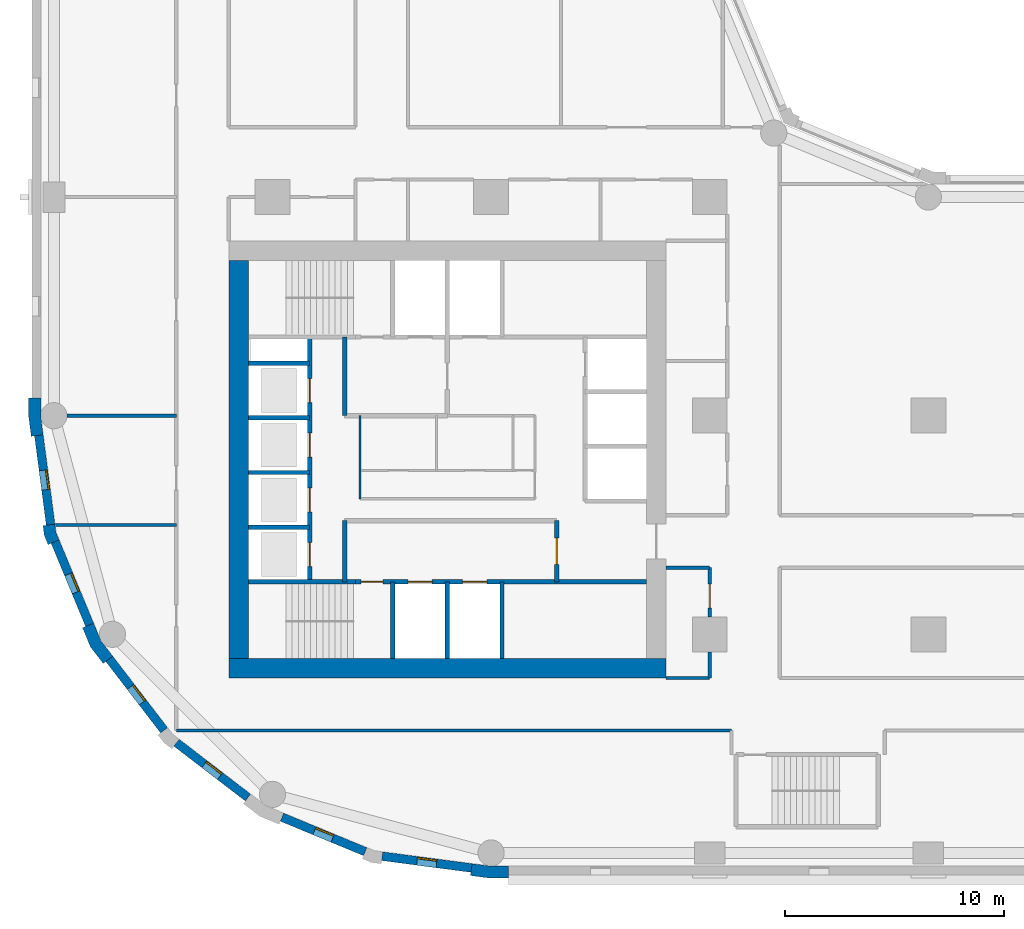
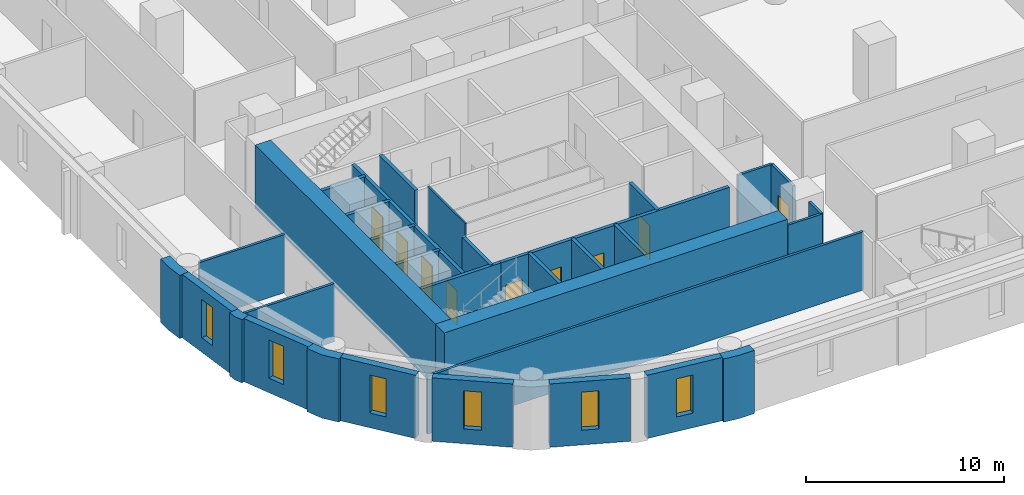
# One storey, part 2 of 10: 33 walls, 9 doors, 6 windows, 15 openings.
"""IFC4 building model written with IfcOpenShell, lengths in metres."""

from ifc_helpers import new_model, si_unit, direction, frame, frame_2d, origin, place, context, subcontext, project, spatial, polyline, rectangle, outline, extrude, material, layer, layer_set, type_object, element, fill, save


model = new_model("IFC4")

# Units and contexts
model_context = context("Model", 3, precision=1e-05, world=origin(), true_north=direction((0.0, 1.0)))
body_context = subcontext(model_context, "Body", "Model", "MODEL_VIEW")
ifc_project = project(units=[si_unit("LENGTHUNIT", "METRE"), si_unit("AREAUNIT", "SQUARE_METRE"), si_unit("VOLUMEUNIT", "CUBIC_METRE"), si_unit("PLANEANGLEUNIT", "RADIAN"), si_unit("MASSUNIT", "GRAM", prefix="KILO")], contexts=[model_context])

# Site, building, storey
site_placement = place(None, origin())
site = spatial("IfcSite", under=ifc_project, at=site_placement, CompositionType="ELEMENT")
building_placement = place(site_placement, origin())
building = spatial("IfcBuilding", under=site, at=building_placement, Name="Qaws Garden Tower", CompositionType="ELEMENT")
storey_placement = place(building_placement, frame((0.0, 0.0, 66.60009765625)))
storey = spatial("IfcBuildingStorey", under=building, at=storey_placement, Name="L16", CompositionType="ELEMENT", Elevation=66.60009765625)

# Wall, opening, window
ifc_material_1 = material(Name="Clay facing brick masonry", Category="masonry")
ifc_layer_1 = layer(ifc_material_1, 0.39990234375)
ifc_layer_set_1 = layer_set([ifc_layer_1], Name="Clay facing brick masonry")
wall_type_1 = type_object("IfcWallType", Name="Brick infill wall 400", PredefinedType="SOLIDWALL", material=ifc_layer_set_1)
wall_1_placement = place(storey_placement, frame((-0.688720703125, 19.102294921875, 0.0), z_axis=(0.0, 0.0, 1.0), x_axis=(0.130514280502, -0.991446429508, 0.0)))
wall_1 = element("IfcWall", 1, at=wall_1_placement, inside=storey, type_object=wall_type_1, Name="E-L16-infill-27", PredefinedType="SOLIDWALL", context=body_context, shape_type="SweptSolid", body=[
    extrude(rectangle(XDim=4.120849609375, YDim=0.39990234375, at=frame_2d((2.060546875, 0.0))), origin(), (0.0, 0.0, 1.0), 3.89990234375),
])
opening_1_placement = place(wall_1_placement, frame((1.610595703125, 0.0, 0.89990234375)))
opening_1 = element("IfcOpeningElement", 2, at=opening_1_placement, cuts=wall_1, Name="Opening W09", PredefinedType="OPENING", context=body_context, shape_type="SweptSolid", body=[
    extrude(rectangle(XDim=0.89990234375, YDim=2.35009765625, at=frame_2d((0.449951171875, 1.175048828125))), frame((0.0, 0.2099609375, 0.0), z_axis=(0.0, -1.0, 0.0), x_axis=(1.0, 0.0, 0.0)), (0.0, 0.0, 1.0), 0.419921875),
])
ifc_material_2 = material(Name="Aluminium framed window, clear glazing", Category="aluminium")
window_type = type_object("IfcWindowType", Name="Slit window 900 x 2350", PartitioningType="SINGLE_PANEL", PredefinedType="WINDOW", material=ifc_material_2)
window_1_placement = place(opening_1_placement, origin())
window_1 = element("IfcWindow", 3, at=window_1_placement, inside=storey, type_object=window_type, Name="E-L16-window-27-0", OverallHeight=2.35009765625, OverallWidth=0.89990234375, PartitioningType="SINGLE_PANEL", PredefinedType="WINDOW", context=body_context, shape_type="SweptSolid", body=[
    extrude(rectangle(XDim=0.89990234375, YDim=2.35009765625, at=frame_2d((0.449951171875, 1.175048828125))), frame((0.0, 0.159912109375, 0.0), z_axis=(0.0, -1.0, 0.0), x_axis=(1.0, 0.0, 0.0)), (0.0, 0.0, 1.0), 0.06005859375),
])
fill(opening_1, window_1)

wall_2_placement = place(storey_placement, frame((0.05712890625, 14.240234375, 0.0), z_axis=(0.0, 0.0, 1.0), x_axis=(0.382721546029, -0.923863744394, 0.0)))
wall_2 = element("IfcWall", 4, at=wall_2_placement, inside=storey, type_object=wall_type_1, Name="E-L16-infill-28", PredefinedType="SOLIDWALL", context=body_context, shape_type="SweptSolid", body=[
    extrude(rectangle(XDim=4.120849609375, YDim=0.39990234375, at=frame_2d((2.060546875, 0.0))), origin(), (0.0, 0.0, 1.0), 3.89990234375),
])
opening_2_placement = place(wall_2_placement, frame((1.610595703125, 0.0, 0.89990234375)))
opening_2 = element("IfcOpeningElement", 5, at=opening_2_placement, cuts=wall_2, Name="Opening W09", PredefinedType="OPENING", context=body_context, shape_type="SweptSolid", body=[
    extrude(rectangle(XDim=0.89990234375, YDim=2.35009765625, at=frame_2d((0.449951171875, 1.175048828125))), frame((0.0, 0.2099609375, 0.0), z_axis=(0.0, -1.0, 0.0), x_axis=(1.0, 0.0, 0.0)), (0.0, 0.0, 1.0), 0.419921875),
])
window_2_placement = place(opening_2_placement, origin())
window_2 = element("IfcWindow", 6, at=window_2_placement, inside=storey, type_object=window_type, Name="E-L16-window-28-0", OverallHeight=2.35009765625, OverallWidth=0.89990234375, PartitioningType="SINGLE_PANEL", PredefinedType="WINDOW", context=body_context, shape_type="SweptSolid", body=[
    extrude(rectangle(XDim=0.89990234375, YDim=2.35009765625, at=frame_2d((0.449951171875, 1.175048828125))), frame((0.0, 0.159912109375, 0.0), z_axis=(0.0, -1.0, 0.0), x_axis=(1.0, 0.0, 0.0)), (0.0, 0.0, 1.0), 0.06005859375),
])
fill(opening_2, window_2)

wall_3_placement = place(storey_placement, frame((2.53173828125, 8.87841796875, 0.0), z_axis=(0.0, 0.0, 1.0), x_axis=(0.608759824817, -0.793354571229, 0.0)))
wall_3 = element("IfcWall", 7, at=wall_3_placement, inside=storey, type_object=wall_type_1, Name="E-L16-infill-29", PredefinedType="SOLIDWALL", context=body_context, shape_type="SweptSolid", body=[
    extrude(rectangle(XDim=4.12109375, YDim=0.39990234375, at=frame_2d((2.060546875, 0.0))), origin(), (0.0, 0.0, 1.0), 3.89990234375),
])
opening_3_placement = place(wall_3_placement, frame((1.610595703125, 0.0, 0.89990234375)))
opening_3 = element("IfcOpeningElement", 8, at=opening_3_placement, cuts=wall_3, Name="Opening W09", PredefinedType="OPENING", context=body_context, shape_type="SweptSolid", body=[
    extrude(rectangle(XDim=0.89990234375, YDim=2.35009765625, at=frame_2d((0.449951171875, 1.175048828125))), frame((0.0, 0.2099609375, 0.0), z_axis=(0.0, -1.0, 0.0), x_axis=(1.0, 0.0, 0.0)), (0.0, 0.0, 1.0), 0.419921875),
])
window_3_placement = place(opening_3_placement, origin())
window_3 = element("IfcWindow", 9, at=window_3_placement, inside=storey, type_object=window_type, Name="E-L16-window-29-0", OverallHeight=2.35009765625, OverallWidth=0.89990234375, PartitioningType="SINGLE_PANEL", PredefinedType="WINDOW", context=body_context, shape_type="SweptSolid", body=[
    extrude(rectangle(XDim=0.89990234375, YDim=2.35009765625, at=frame_2d((0.449951171875, 1.175048828125))), frame((0.0, 0.159912109375, 0.0), z_axis=(0.0, -1.0, 0.0), x_axis=(1.0, 0.0, 0.0)), (0.0, 0.0, 1.0), 0.06005859375),
])
fill(opening_3, window_3)

wall_4_placement = place(storey_placement, frame((5.60888671875, 5.04052734375, 0.0), z_axis=(0.0, 0.0, 1.0), x_axis=(0.793354571229, -0.608759824817, 0.0)))
wall_4 = element("IfcWall", 10, at=wall_4_placement, inside=storey, type_object=wall_type_1, Name="E-L16-infill-30", PredefinedType="SOLIDWALL", context=body_context, shape_type="SweptSolid", body=[
    extrude(rectangle(XDim=4.12109375, YDim=0.39990234375, at=frame_2d((2.060546875, 0.0))), origin(), (0.0, 0.0, 1.0), 3.89990234375),
])
opening_4_placement = place(wall_4_placement, frame((1.610595703125, 0.0, 0.89990234375)))
opening_4 = element("IfcOpeningElement", 11, at=opening_4_placement, cuts=wall_4, Name="Opening W09", PredefinedType="OPENING", context=body_context, shape_type="SweptSolid", body=[
    extrude(rectangle(XDim=0.89990234375, YDim=2.35009765625, at=frame_2d((0.449951171875, 1.175048828125))), frame((0.0, 0.2099609375, 0.0), z_axis=(0.0, -1.0, 0.0), x_axis=(1.0, 0.0, 0.0)), (0.0, 0.0, 1.0), 0.419921875),
])
window_4_placement = place(opening_4_placement, origin())
window_4 = element("IfcWindow", 12, at=window_4_placement, inside=storey, type_object=window_type, Name="E-L16-window-30-0", OverallHeight=2.35009765625, OverallWidth=0.89990234375, PartitioningType="SINGLE_PANEL", PredefinedType="WINDOW", context=body_context, shape_type="SweptSolid", body=[
    extrude(rectangle(XDim=0.89990234375, YDim=2.35009765625, at=frame_2d((0.449951171875, 1.175048828125))), frame((0.0, 0.159912109375, 0.0), z_axis=(0.0, -1.0, 0.0), x_axis=(1.0, 0.0, 0.0)), (0.0, 0.0, 1.0), 0.06005859375),
])
fill(opening_4, window_4)

wall_5_placement = place(storey_placement, frame((10.43310546875, 1.63427734375, 0.0), z_axis=(0.0, 0.0, 1.0), x_axis=(0.923863744394, -0.382721546029, 0.0)))
wall_5 = element("IfcWall", 13, at=wall_5_placement, inside=storey, type_object=wall_type_1, Name="E-L16-infill-31", PredefinedType="SOLIDWALL", context=body_context, shape_type="SweptSolid", body=[
    extrude(rectangle(XDim=4.120849609375, YDim=0.39990234375, at=frame_2d((2.060546875, 0.0))), origin(), (0.0, 0.0, 1.0), 3.89990234375),
])
opening_5_placement = place(wall_5_placement, frame((1.610595703125, 0.0, 0.89990234375)))
opening_5 = element("IfcOpeningElement", 14, at=opening_5_placement, cuts=wall_5, Name="Opening W09", PredefinedType="OPENING", context=body_context, shape_type="SweptSolid", body=[
    extrude(rectangle(XDim=0.89990234375, YDim=2.35009765625, at=frame_2d((0.449951171875, 1.175048828125))), frame((0.0, 0.2099609375, 0.0), z_axis=(0.0, -1.0, 0.0), x_axis=(1.0, 0.0, 0.0)), (0.0, 0.0, 1.0), 0.419921875),
])
window_5_placement = place(opening_5_placement, origin())
window_5 = element("IfcWindow", 15, at=window_5_placement, inside=storey, type_object=window_type, Name="E-L16-window-31-0", OverallHeight=2.35009765625, OverallWidth=0.89990234375, PartitioningType="SINGLE_PANEL", PredefinedType="WINDOW", context=body_context, shape_type="SweptSolid", body=[
    extrude(rectangle(XDim=0.89990234375, YDim=2.35009765625, at=frame_2d((0.449951171875, 1.175048828125))), frame((0.0, 0.159912109375, 0.0), z_axis=(0.0, -1.0, 0.0), x_axis=(1.0, 0.0, 0.0)), (0.0, 0.0, 1.0), 0.06005859375),
])
fill(opening_5, window_5)

wall_6_placement = place(storey_placement, frame((15.0166015625, -0.15087890625, 0.0), z_axis=(0.0, 0.0, 1.0), x_axis=(0.991446429508, -0.130514280502, 0.0)))
wall_6 = element("IfcWall", 16, at=wall_6_placement, inside=storey, type_object=wall_type_1, Name="E-L16-infill-32", PredefinedType="SOLIDWALL", context=body_context, shape_type="SweptSolid", body=[
    extrude(rectangle(XDim=4.120849609375, YDim=0.39990234375, at=frame_2d((2.060546875, 0.0))), origin(), (0.0, 0.0, 1.0), 3.89990234375),
])
opening_6_placement = place(wall_6_placement, frame((1.610595703125, 0.0, 0.89990234375)))
opening_6 = element("IfcOpeningElement", 17, at=opening_6_placement, cuts=wall_6, Name="Opening W09", PredefinedType="OPENING", context=body_context, shape_type="SweptSolid", body=[
    extrude(rectangle(XDim=0.89990234375, YDim=2.35009765625, at=frame_2d((0.449951171875, 1.175048828125))), frame((0.0, 0.2099609375, 0.0), z_axis=(0.0, -1.0, 0.0), x_axis=(1.0, 0.0, 0.0)), (0.0, 0.0, 1.0), 0.419921875),
])
window_6_placement = place(opening_6_placement, origin())
window_6 = element("IfcWindow", 18, at=window_6_placement, inside=storey, type_object=window_type, Name="E-L16-window-32-0", OverallHeight=2.35009765625, OverallWidth=0.89990234375, PartitioningType="SINGLE_PANEL", PredefinedType="WINDOW", context=body_context, shape_type="SweptSolid", body=[
    extrude(rectangle(XDim=0.89990234375, YDim=2.35009765625, at=frame_2d((0.449951171875, 1.175048828125))), frame((0.0, 0.159912109375, 0.0), z_axis=(0.0, -1.0, 0.0), x_axis=(1.0, 0.0, 0.0)), (0.0, 0.0, 1.0), 0.06005859375),
])
fill(opening_6, window_6)

# Walls
ifc_material_3 = material(Name="Clay facing brick masonry", Category="masonry")
ifc_layer_2 = layer(ifc_material_3, 0.550048828125)
ifc_layer_set_2 = layer_set([ifc_layer_2], Name="Clay facing brick masonry")
wall_type_2 = type_object("IfcWallType", Name="Brick kink pier 550 x 600", PredefinedType="SOLIDWALL", material=ifc_layer_set_2)
placement = place(storey_placement, origin())
element("IfcWall", 19, at=placement, inside=storey, type_object=wall_type_2, Name="E-L16-pier-28", PredefinedType="SOLIDWALL", context=body_context, shape_type="SweptSolid", body=[
    extrude(outline(polyline([(-0.34912109375, 14.990478515625), (-0.497802734375, 14.970947265625), (-0.43896484375, 14.5234375), (-0.26611328125, 14.1064453125), (-0.127685546875, 14.163818359375), (0.241943359375, 14.31689453125), (0.096923828125, 14.6669921875), (0.04736328125, 15.042724609375), (-0.34912109375, 14.990478515625)])), origin(), (0.0, 0.0, 1.0), 3.89990234375),
])
ifc_material_4 = material(Name="Clay facing brick masonry", Category="masonry")
ifc_layer_3 = layer(ifc_material_4, 0.550048828125)
ifc_layer_set_3 = layer_set([ifc_layer_3], Name="Clay facing brick masonry")
wall_type_3 = type_object("IfcWallType", Name="Brick pier 550 x 1600", PredefinedType="SOLIDWALL", material=ifc_layer_set_3)
element("IfcWall", 20, at=placement, inside=storey, type_object=wall_type_3, Name="E-L16-pier-00", PredefinedType="SOLIDWALL", context=body_context, shape_type="SweptSolid", body=[
    extrude(outline(polyline([(19.076416015625, -0.886962890625), (19.056640625, -1.03564453125), (19.924560546875, -1.14990234375), (20.800048828125, -1.14990234375), (20.800048828125, -1.0), (20.800048828125, -0.60009765625), (19.960693359375, -0.60009765625), (19.12841796875, -0.490478515625), (19.076416015625, -0.886962890625)])), origin(), (0.0, 0.0, 1.0), 3.89990234375),
])
element("IfcWall", 21, at=placement, inside=storey, type_object=wall_type_3, Name="E-L16-pier-27", PredefinedType="SOLIDWALL", context=body_context, shape_type="SweptSolid", body=[
    extrude(outline(polyline([(-1.0, 20.800048828125), (-1.14990234375, 20.800048828125), (-1.14990234375, 19.924560546875), (-1.03564453125, 19.056640625), (-0.886962890625, 19.076416015625), (-0.490478515625, 19.12841796875), (-0.60009765625, 19.960693359375), (-0.60009765625, 20.800048828125), (-1.0, 20.800048828125)])), origin(), (0.0, 0.0, 1.0), 3.89990234375),
])
element("IfcWall", 22, at=placement, inside=storey, type_object=wall_type_3, Name="E-L16-pier-29", PredefinedType="SOLIDWALL", context=body_context, shape_type="SweptSolid", body=[
    extrude(outline(polyline([(1.449462890625, 10.3564453125), (1.310791015625, 10.299072265625), (1.675048828125, 9.419921875), (2.254150390625, 8.665283203125), (2.373046875, 8.756591796875), (2.6904296875, 9.0), (2.1552734375, 9.697509765625), (1.819091796875, 10.509521484375), (1.449462890625, 10.3564453125)])), origin(), (0.0, 0.0, 1.0), 3.89990234375),
])
ifc_material_5 = material(Name="Plasterboard")
ifc_layer_4 = layer(ifc_material_5, 0.10009765625)
ifc_layer_set_4 = layer_set([ifc_layer_4], Name="Plasterboard")
wall_type_4 = type_object("IfcWallType", Name="Core partition 100", PredefinedType="PARTITIONING", material=ifc_layer_set_4)
wall_11_placement = place(storey_placement, frame((14.0, 16.199951171875, 0.0), z_axis=(0.0, 0.0, 1.0), x_axis=(0.0, 1.0, 0.0)))
element("IfcWall", 23, at=wall_11_placement, inside=storey, type_object=wall_type_4, Name="Core partition", PredefinedType="PARTITIONING", context=body_context, shape_type="SweptSolid", body=[
    extrude(rectangle(XDim=3.800048828125, YDim=0.10009765625, at=frame_2d((1.89990234375, 0.0))), origin(), (0.0, 0.0, 1.0), 3.579833984375),
])
ifc_material_6 = material(Name="Concrete C80", Category="concrete")
ifc_layer_5 = layer(ifc_material_6, 0.199951171875)
ifc_layer_set_5 = layer_set([ifc_layer_5], Name="Concrete C80")
wall_type_5 = type_object("IfcWallType", Name="Core shaft wall 200 C80", PredefinedType="SHEAR", material=ifc_layer_set_5)
wall_12_placement = place(storey_placement, frame((8.89990234375, 12.39990234375, 0.0), z_axis=(0.0, 0.0, 1.0), x_axis=(1.0, 0.0, 0.0)))
element("IfcWall", 24, at=wall_12_placement, inside=storey, type_object=wall_type_5, Name="Shaft wall", PredefinedType="SHEAR", context=body_context, shape_type="SweptSolid", body=[
    extrude(rectangle(XDim=4.900146484375, YDim=0.199951171875, at=frame_2d((2.4501953125, 0.0))), origin(), (0.0, 0.0, 1.0), 3.579833984375),
])

# Wall, openings, doors
wall_13_placement = place(storey_placement, frame((13.800048828125, 12.39990234375, 0.0), z_axis=(0.0, 0.0, 1.0), x_axis=(1.0, 0.0, 0.0)))
wall_13 = element("IfcWall", 25, at=wall_13_placement, inside=storey, type_object=wall_type_5, Name="Shaft wall", PredefinedType="SHEAR", context=body_context, shape_type="SweptSolid", body=[
    extrude(rectangle(XDim=13.300048828125, YDim=0.199951171875, at=frame_2d((6.64990234375, 0.0))), origin(), (0.0, 0.0, 1.0), 3.579833984375),
])
opening_7_placement = place(wall_13_placement, frame((2.39990234375, 0.0, 0.0)))
opening_7 = element("IfcOpeningElement", 26, at=opening_7_placement, cuts=wall_13, Name="Opening LD06", PredefinedType="OPENING", context=body_context, shape_type="SweptSolid", body=[
    extrude(rectangle(XDim=1.10009765625, YDim=2.10009765625, at=frame_2d((0.550048828125, 1.050048828125))), frame((0.0, 0.10986328125, 0.0), z_axis=(0.0, -1.0, 0.0), x_axis=(1.0, 0.0, 0.0)), (0.0, 0.0, 1.0), 0.219970703125),
])
opening_8_placement = place(wall_13_placement, frame((4.89990234375, 0.0, 0.0)))
opening_8 = element("IfcOpeningElement", 27, at=opening_8_placement, cuts=wall_13, Name="Opening LD07", PredefinedType="OPENING", context=body_context, shape_type="SweptSolid", body=[
    extrude(rectangle(XDim=1.10009765625, YDim=2.10009765625, at=frame_2d((0.550048828125, 1.050048828125))), frame((0.0, 0.10986328125, 0.0), z_axis=(0.0, -1.0, 0.0), x_axis=(1.0, 0.0, 0.0)), (0.0, 0.0, 1.0), 0.219970703125),
])
opening_9_placement = place(wall_13_placement, frame((0.25, 0.0, 0.0)))
opening_9 = element("IfcOpeningElement", 28, at=opening_9_placement, cuts=wall_13, Name="Opening SD10", PredefinedType="OPENING", context=body_context, shape_type="SweptSolid", body=[
    extrude(rectangle(XDim=1.0, YDim=2.10009765625, at=frame_2d((0.5, 1.050048828125))), frame((0.0, 0.10986328125, 0.0), z_axis=(0.0, -1.0, 0.0), x_axis=(1.0, 0.0, 0.0)), (0.0, 0.0, 1.0), 0.219970703125),
])
ifc_material_7 = material(Name="Steel S235", Category="steel")
door_type_1 = type_object("IfcDoorType", Name="Landing door 1100x2100", OperationType="DOUBLE_DOOR_SLIDING", PredefinedType="DOOR", material=ifc_material_7)
door_1_placement = place(opening_7_placement, origin())
door_1 = element("IfcDoor", 29, at=door_1_placement, inside=storey, type_object=door_type_1, Name="Lift FF1 landing door", OperationType="DOUBLE_DOOR_SLIDING", OverallHeight=2.10009765625, OverallWidth=1.10009765625, PredefinedType="DOOR", context=body_context, shape_type="SweptSolid", body=[
    extrude(rectangle(XDim=1.10009765625, YDim=2.10009765625, at=frame_2d((0.550048828125, 1.050048828125))), frame((0.0, 0.02490234375, 0.0), z_axis=(0.0, -1.0, 0.0), x_axis=(1.0, 0.0, 0.0)), (0.0, 0.0, 1.0), 0.050048828125),
])
fill(opening_7, door_1)
door_2_placement = place(opening_8_placement, origin())
door_2 = element("IfcDoor", 30, at=door_2_placement, inside=storey, type_object=door_type_1, Name="Lift FF2 landing door", OperationType="DOUBLE_DOOR_SLIDING", OverallHeight=2.10009765625, OverallWidth=1.10009765625, PredefinedType="DOOR", context=body_context, shape_type="SweptSolid", body=[
    extrude(rectangle(XDim=1.10009765625, YDim=2.10009765625, at=frame_2d((0.550048828125, 1.050048828125))), frame((0.0, 0.02490234375, 0.0), z_axis=(0.0, -1.0, 0.0), x_axis=(1.0, 0.0, 0.0)), (0.0, 0.0, 1.0), 0.050048828125),
])
fill(opening_8, door_2)
ifc_material_8 = material(Name="Steel S235", Category="steel")
door_type_2 = type_object("IfcDoorType", Name="Stair door 1000x2100", OperationType="SINGLE_SWING_RIGHT", PredefinedType="DOOR", material=ifc_material_8)
door_3_placement = place(opening_9_placement, frame((1.0, 0.0, 0.0), z_axis=(0.0, 0.0, 1.0), x_axis=(-1.0, 0.0, 0.0)))
door_3 = element("IfcDoor", 31, at=door_3_placement, inside=storey, type_object=door_type_2, Name="Stair 1 door", OperationType="SINGLE_SWING_LEFT", OverallHeight=2.10009765625, OverallWidth=1.0, PredefinedType="DOOR", context=body_context, shape_type="SweptSolid", body=[
    extrude(rectangle(XDim=1.0, YDim=2.10009765625, at=frame_2d((0.5, 1.050048828125))), frame((0.0, 0.02490234375, 0.0), z_axis=(0.0, -1.0, 0.0), x_axis=(1.0, 0.0, 0.0)), (0.0, 0.0, 1.0), 0.050048828125),
])
fill(opening_9, door_3)

# Walls
for number, where, z_axis, x_axis, name in (
    (32, (8.89990234375, 14.89990234375, 0.0), (0.0, 0.0, 1.0), (1.0, 0.0, 0.0), "Shaft wall"),
    (33, (8.89990234375, 17.39990234375, 0.0), (0.0, 0.0, 1.0), (1.0, 0.0, 0.0), "Shaft wall"),
    (34, (8.89990234375, 19.89990234375, 0.0), (0.0, 0.0, 1.0), (1.0, 0.0, 0.0), "Shaft wall"),
    (35, (8.89990234375, 22.39990234375, 0.0), (0.0, 0.0, 1.0), (1.0, 0.0, 0.0), "Shaft wall"),
):
    element("IfcWall", number, at=place(storey_placement, frame(where, z_axis=z_axis, x_axis=x_axis)), inside=storey, type_object=wall_type_5, Name=name, PredefinedType="SHEAR", context=body_context, shape_type="SweptSolid", body=[
        extrude(rectangle(XDim=2.800048828125, YDim=0.199951171875, at=frame_2d((1.39990234375, 0.0))), origin(), (0.0, 0.0, 1.0), 3.579833984375),
    ])

# Wall, openings, doors
wall_14_placement = place(storey_placement, frame((11.699951171875, 12.39990234375, 0.0), z_axis=(0.0, 0.0, 1.0), x_axis=(0.0, 1.0, 0.0)))
wall_14 = element("IfcWall", 36, at=wall_14_placement, inside=storey, type_object=wall_type_5, Name="Shaft wall", PredefinedType="SHEAR", context=body_context, shape_type="SweptSolid", body=[
    extrude(rectangle(XDim=11.2001953125, YDim=0.199951171875, at=frame_2d((5.60009765625, 0.0))), origin(), (0.0, 0.0, 1.0), 3.579833984375),
])
opening_10_placement = place(wall_14_placement, frame((0.699951171875, 0.0, 0.0)))
opening_10 = element("IfcOpeningElement", 37, at=opening_10_placement, cuts=wall_14, Name="Opening LD01", PredefinedType="OPENING", context=body_context, shape_type="SweptSolid", body=[
    extrude(rectangle(XDim=1.10009765625, YDim=2.10009765625, at=frame_2d((0.550048828125, 1.050048828125))), frame((0.0, 0.10986328125, 0.0), z_axis=(0.0, -1.0, 0.0), x_axis=(1.0, 0.0, 0.0)), (0.0, 0.0, 1.0), 0.219970703125),
])
opening_11_placement = place(wall_14_placement, frame((3.199951171875, 0.0, 0.0)))
opening_11 = element("IfcOpeningElement", 38, at=opening_11_placement, cuts=wall_14, Name="Opening LD02", PredefinedType="OPENING", context=body_context, shape_type="SweptSolid", body=[
    extrude(rectangle(XDim=1.10009765625, YDim=2.10009765625, at=frame_2d((0.550048828125, 1.050048828125))), frame((0.0, 0.10986328125, 0.0), z_axis=(0.0, -1.0, 0.0), x_axis=(1.0, 0.0, 0.0)), (0.0, 0.0, 1.0), 0.219970703125),
])
opening_12_placement = place(wall_14_placement, frame((5.699951171875, 0.0, 0.0)))
opening_12 = element("IfcOpeningElement", 39, at=opening_12_placement, cuts=wall_14, Name="Opening LD03", PredefinedType="OPENING", context=body_context, shape_type="SweptSolid", body=[
    extrude(rectangle(XDim=1.10009765625, YDim=2.10009765625, at=frame_2d((0.550048828125, 1.050048828125))), frame((0.0, 0.10986328125, 0.0), z_axis=(0.0, -1.0, 0.0), x_axis=(1.0, 0.0, 0.0)), (0.0, 0.0, 1.0), 0.219970703125),
])
opening_13_placement = place(wall_14_placement, frame((8.199951171875, 0.0, 0.0)))
opening_13 = element("IfcOpeningElement", 40, at=opening_13_placement, cuts=wall_14, Name="Opening LD04", PredefinedType="OPENING", context=body_context, shape_type="SweptSolid", body=[
    extrude(rectangle(XDim=1.10009765625, YDim=2.10009765625, at=frame_2d((0.550048828125, 1.050048828125))), frame((0.0, 0.10986328125, 0.0), z_axis=(0.0, -1.0, 0.0), x_axis=(1.0, 0.0, 0.0)), (0.0, 0.0, 1.0), 0.219970703125),
])
door_4_placement = place(opening_10_placement, origin())
door_4 = element("IfcDoor", 41, at=door_4_placement, inside=storey, type_object=door_type_1, Name="Lift W1 landing door", OperationType="DOUBLE_DOOR_SLIDING", OverallHeight=2.10009765625, OverallWidth=1.10009765625, PredefinedType="DOOR", context=body_context, shape_type="SweptSolid", body=[
    extrude(rectangle(XDim=1.10009765625, YDim=2.10009765625, at=frame_2d((0.550048828125, 1.050048828125))), frame((0.0, 0.02490234375, 0.0), z_axis=(0.0, -1.0, 0.0), x_axis=(1.0, 0.0, 0.0)), (0.0, 0.0, 1.0), 0.050048828125),
])
fill(opening_10, door_4)
door_5_placement = place(opening_11_placement, origin())
door_5 = element("IfcDoor", 42, at=door_5_placement, inside=storey, type_object=door_type_1, Name="Lift W2 landing door", OperationType="DOUBLE_DOOR_SLIDING", OverallHeight=2.10009765625, OverallWidth=1.10009765625, PredefinedType="DOOR", context=body_context, shape_type="SweptSolid", body=[
    extrude(rectangle(XDim=1.10009765625, YDim=2.10009765625, at=frame_2d((0.550048828125, 1.050048828125))), frame((0.0, 0.02490234375, 0.0), z_axis=(0.0, -1.0, 0.0), x_axis=(1.0, 0.0, 0.0)), (0.0, 0.0, 1.0), 0.050048828125),
])
fill(opening_11, door_5)
door_6_placement = place(opening_12_placement, origin())
door_6 = element("IfcDoor", 43, at=door_6_placement, inside=storey, type_object=door_type_1, Name="Lift W3 landing door", OperationType="DOUBLE_DOOR_SLIDING", OverallHeight=2.10009765625, OverallWidth=1.10009765625, PredefinedType="DOOR", context=body_context, shape_type="SweptSolid", body=[
    extrude(rectangle(XDim=1.10009765625, YDim=2.10009765625, at=frame_2d((0.550048828125, 1.050048828125))), frame((0.0, 0.02490234375, 0.0), z_axis=(0.0, -1.0, 0.0), x_axis=(1.0, 0.0, 0.0)), (0.0, 0.0, 1.0), 0.050048828125),
])
fill(opening_12, door_6)
door_7_placement = place(opening_13_placement, origin())
door_7 = element("IfcDoor", 44, at=door_7_placement, inside=storey, type_object=door_type_1, Name="Lift W4 landing door", OperationType="DOUBLE_DOOR_SLIDING", OverallHeight=2.10009765625, OverallWidth=1.10009765625, PredefinedType="DOOR", context=body_context, shape_type="SweptSolid", body=[
    extrude(rectangle(XDim=1.10009765625, YDim=2.10009765625, at=frame_2d((0.550048828125, 1.050048828125))), frame((0.0, 0.02490234375, 0.0), z_axis=(0.0, -1.0, 0.0), x_axis=(1.0, 0.0, 0.0)), (0.0, 0.0, 1.0), 0.050048828125),
])
fill(opening_13, door_7)

# Walls
wall_15_placement = place(storey_placement, frame((13.300048828125, 12.39990234375, 0.0), z_axis=(0.0, 0.0, 1.0), x_axis=(0.0, 1.0, 0.0)))
element("IfcWall", 45, at=wall_15_placement, inside=storey, type_object=wall_type_5, Name="Shaft wall", PredefinedType="SHEAR", context=body_context, shape_type="SweptSolid", body=[
    extrude(rectangle(XDim=2.800048828125, YDim=0.199951171875, at=frame_2d((1.39990234375, 0.0))), origin(), (0.0, 0.0, 1.0), 3.579833984375),
])
wall_16_placement = place(storey_placement, frame((13.300048828125, 20.0, 0.0), z_axis=(0.0, 0.0, 1.0), x_axis=(0.0, 1.0, 0.0)))
element("IfcWall", 46, at=wall_16_placement, inside=storey, type_object=wall_type_5, Name="Shaft wall", PredefinedType="SHEAR", context=body_context, shape_type="SweptSolid", body=[
    extrude(rectangle(XDim=3.60009765625, YDim=0.199951171875, at=frame_2d((1.800048828125, 0.0))), origin(), (0.0, 0.0, 1.0), 3.579833984375),
])
for number, where, z_axis, x_axis, name in (
    (47, (15.5, 8.89990234375, 0.0), (0.0, 0.0, 1.0), (0.0, 1.0, 0.0), "Shaft wall"),
    (48, (18.0, 8.89990234375, 0.0), (0.0, 0.0, 1.0), (0.0, 1.0, 0.0), "Shaft wall"),
    (49, (20.5, 8.89990234375, 0.0), (0.0, 0.0, 1.0), (0.0, 1.0, 0.0), "Shaft wall"),
):
    element("IfcWall", number, at=place(storey_placement, frame(where, z_axis=z_axis, x_axis=x_axis)), inside=storey, type_object=wall_type_5, Name=name, PredefinedType="SHEAR", context=body_context, shape_type="SweptSolid", body=[
        extrude(rectangle(XDim=3.5, YDim=0.199951171875, at=frame_2d((1.75, 0.0))), origin(), (0.0, 0.0, 1.0), 3.579833984375),
    ])

# Wall, opening, door
wall_17_placement = place(storey_placement, frame((23.0, 12.39990234375, 0.0), z_axis=(0.0, 0.0, 1.0), x_axis=(0.0, 1.0, 0.0)))
wall_17 = element("IfcWall", 50, at=wall_17_placement, inside=storey, type_object=wall_type_5, Name="Shaft wall", PredefinedType="SHEAR", context=body_context, shape_type="SweptSolid", body=[
    extrude(rectangle(XDim=2.800048828125, YDim=0.199951171875, at=frame_2d((1.39990234375, 0.0))), origin(), (0.0, 0.0, 1.0), 3.579833984375),
])
opening_14_placement = place(wall_17_placement, frame((0.800048828125, 0.0, 0.0)))
opening_14 = element("IfcOpeningElement", 51, at=opening_14_placement, cuts=wall_17, Name="Opening FD15", PredefinedType="OPENING", context=body_context, shape_type="SweptSolid", body=[
    extrude(rectangle(XDim=1.199951171875, YDim=2.10009765625, at=frame_2d((0.60009765625, 1.050048828125))), frame((0.0, 0.10986328125, 0.0), z_axis=(0.0, -1.0, 0.0), x_axis=(1.0, 0.0, 0.0)), (0.0, 0.0, 1.0), 0.219970703125),
])
ifc_material_9 = material(Name="Steel S235", Category="steel")
door_type_3 = type_object("IfcDoorType", Name="Lobby door 1200x2100", OperationType="DOUBLE_DOOR_SINGLE_SWING", PredefinedType="DOOR", material=ifc_material_9)
door_8_placement = place(opening_14_placement, origin())
door_8 = element("IfcDoor", 52, at=door_8_placement, inside=storey, type_object=door_type_3, Name="Fire-fighting lobby door", OperationType="DOUBLE_DOOR_SINGLE_SWING", OverallHeight=2.10009765625, OverallWidth=1.199951171875, PredefinedType="DOOR", context=body_context, shape_type="SweptSolid", body=[
    extrude(rectangle(XDim=1.199951171875, YDim=2.10009765625, at=frame_2d((0.60009765625, 1.050048828125))), frame((0.0, 0.02490234375, 0.0), z_axis=(0.0, -1.0, 0.0), x_axis=(1.0, 0.0, 0.0)), (0.0, 0.0, 1.0), 0.050048828125),
])
fill(opening_14, door_8)

# Walls
ifc_material_10 = material(Name="Concrete C80", Category="concrete")
ifc_layer_6 = layer(ifc_material_10, 0.89990234375)
ifc_layer_set_6 = layer_set([ifc_layer_6], Name="Concrete C80")
wall_type_6 = type_object("IfcWallType", Name="Core wall 900 C80", PredefinedType="SHEAR", material=ifc_layer_set_6)
wall_18_placement = place(storey_placement, frame((8.0, 8.449951171875, 0.0), z_axis=(0.0, 0.0, 1.0), x_axis=(1.0, 0.0, 0.0)))
element("IfcWall", 53, at=wall_18_placement, inside=storey, type_object=wall_type_6, Name="Core wall L16 south", PredefinedType="SHEAR", context=body_context, shape_type="SweptSolid", body=[
    extrude(rectangle(XDim=20.0, YDim=0.89990234375, at=frame_2d((10.0, 0.0))), origin(), (0.0, 0.0, 1.0), 3.89990234375),
])
wall_19_placement = place(storey_placement, frame((8.449951171875, 27.10009765625, 0.0), z_axis=(0.0, 0.0, 1.0), x_axis=(0.0, -1.0, 0.0)))
element("IfcWall", 54, at=wall_19_placement, inside=storey, type_object=wall_type_6, Name="Core wall L16 west", PredefinedType="SHEAR", context=body_context, shape_type="SweptSolid", body=[
    extrude(rectangle(XDim=18.2001953125, YDim=0.89990234375, at=frame_2d((9.10009765625, 0.0))), origin(), (0.0, 0.0, 1.0), 3.89990234375),
])
ifc_material_11 = material(Name="Gypsum board partition")
ifc_layer_7 = layer(ifc_material_11, 0.14990234375)
ifc_layer_set_7 = layer_set([ifc_layer_7], Name="Gypsum board partition")
wall_type_7 = type_object("IfcWallType", Name="PARTITION 150 EI 60", PredefinedType="PARTITIONING", material=ifc_layer_set_7)
wall_20_placement = place(storey_placement, frame((30.0, 8.0, 0.0), z_axis=(0.0, 0.0, 1.0), x_axis=(0.0, 1.0, 0.0)))
element("IfcWall", 55, at=wall_20_placement, inside=storey, type_object=wall_type_7, Name="O-L16-wall-013", PredefinedType="PARTITIONING", context=body_context, shape_type="SweptSolid", body=[
    extrude(rectangle(XDim=1.199951171875, YDim=0.14990234375, at=frame_2d((0.60009765625, 0.0))), origin(), (0.0, 0.0, 1.0), 3.579833984375),
])

# Wall, opening, door
wall_21_placement = place(storey_placement, frame((30.0, 10.800048828125, 0.0), z_axis=(0.0, 0.0, 1.0), x_axis=(0.0, 1.0, 0.0)))
wall_21 = element("IfcWall", 56, at=wall_21_placement, inside=storey, type_object=wall_type_7, Name="O-L16-wall-014", PredefinedType="PARTITIONING", context=body_context, shape_type="SweptSolid", body=[
    extrude(rectangle(XDim=2.25, YDim=0.14990234375, at=frame_2d((1.125, 0.0))), origin(), (0.0, 0.0, 1.0), 3.579833984375),
])
opening_15_placement = place(wall_21_placement, frame((0.39990234375, 0.0, 0.0)))
opening_15 = element("IfcOpeningElement", 57, at=opening_15_placement, cuts=wall_21, Name="Opening A524", PredefinedType="OPENING", context=body_context, shape_type="SweptSolid", body=[
    extrude(rectangle(XDim=1.10009765625, YDim=2.10009765625, at=frame_2d((0.550048828125, 1.050048828125))), frame((0.0, 0.0849609375, 0.0), z_axis=(0.0, -1.0, 0.0), x_axis=(1.0, 0.0, 0.0)), (0.0, 0.0, 1.0), 0.169921875),
])
ifc_material_12 = material(Name="Timber door leaf", Category="wood")
door_type_4 = type_object("IfcDoorType", Name="SERVICE ROOM DOOR 1100 X 2100", OperationType="SINGLE_SWING_LEFT", PredefinedType="DOOR", material=ifc_material_12)
door_9_placement = place(opening_15_placement, origin())
door_9 = element("IfcDoor", 58, at=door_9_placement, inside=storey, type_object=door_type_4, Name="O-L16-door-024", OperationType="SINGLE_SWING_LEFT", OverallHeight=2.10009765625, OverallWidth=1.10009765625, PredefinedType="DOOR", context=body_context, shape_type="SweptSolid", body=[
    extrude(rectangle(XDim=1.10009765625, YDim=2.10009765625, at=frame_2d((0.550048828125, 1.050048828125))), frame((0.0, 0.02490234375, 0.0), z_axis=(0.0, -1.0, 0.0), x_axis=(1.0, 0.0, 0.0)), (0.0, 0.0, 1.0), 0.050048828125),
])
fill(opening_15, door_9)

# Walls
wall_22_placement = place(storey_placement, frame((5.60009765625, 5.60009765625, 0.0), z_axis=(0.0, 0.0, 1.0), x_axis=(1.0, 0.0, 0.0)))
element("IfcWall", 59, at=wall_22_placement, inside=storey, type_object=wall_type_7, Name="O-L16-wall-026", PredefinedType="PARTITIONING", context=body_context, shape_type="SweptSolid", body=[
    extrude(rectangle(XDim=25.39990234375, YDim=0.14990234375, at=frame_2d((12.699951171875, 0.0))), origin(), (0.0, 0.0, 1.0), 3.579833984375),
])
for number, where, z_axis, x_axis, name in (
    (60, (28.0, 8.0, 0.0), (0.0, 0.0, 1.0), (1.0, 0.0, 0.0), "O-L16-wall-028"),
    (61, (28.0, 13.050048828125, 0.0), (0.0, 0.0, 1.0), (1.0, 0.0, 0.0), "O-L16-wall-030"),
):
    element("IfcWall", number, at=place(storey_placement, frame(where, z_axis=z_axis, x_axis=x_axis)), inside=storey, type_object=wall_type_7, Name=name, PredefinedType="PARTITIONING", context=body_context, shape_type="SweptSolid", body=[
        extrude(rectangle(XDim=2.0, YDim=0.14990234375, at=frame_2d((1.0, 0.0))), origin(), (0.0, 0.0, 1.0), 3.579833984375),
    ])
wall_23_placement = place(storey_placement, frame((0.06298828125, 15.0, 0.0), z_axis=(0.0, 0.0, 1.0), x_axis=(1.0, 0.0, 0.0)))
element("IfcWall", 62, at=wall_23_placement, inside=storey, type_object=wall_type_7, Name="O-L16-wall-032", PredefinedType="PARTITIONING", context=body_context, shape_type="SweptSolid", body=[
    extrude(rectangle(XDim=5.537109375, YDim=0.14990234375, at=frame_2d((2.7685546875, 0.0))), origin(), (0.0, 0.0, 1.0), 3.579833984375),
])
wall_24_placement = place(storey_placement, frame((0.60009765625, 20.0, 0.0), z_axis=(0.0, 0.0, 1.0), x_axis=(1.0, 0.0, 0.0)))
element("IfcWall", 63, at=wall_24_placement, inside=storey, type_object=wall_type_7, Name="O-L16-wall-035", PredefinedType="PARTITIONING", context=body_context, shape_type="SweptSolid", body=[
    extrude(rectangle(XDim=5.0, YDim=0.14990234375, at=frame_2d((2.5, 0.0))), origin(), (0.0, 0.0, 1.0), 3.579833984375),
])

save(model, "model.ifc")
